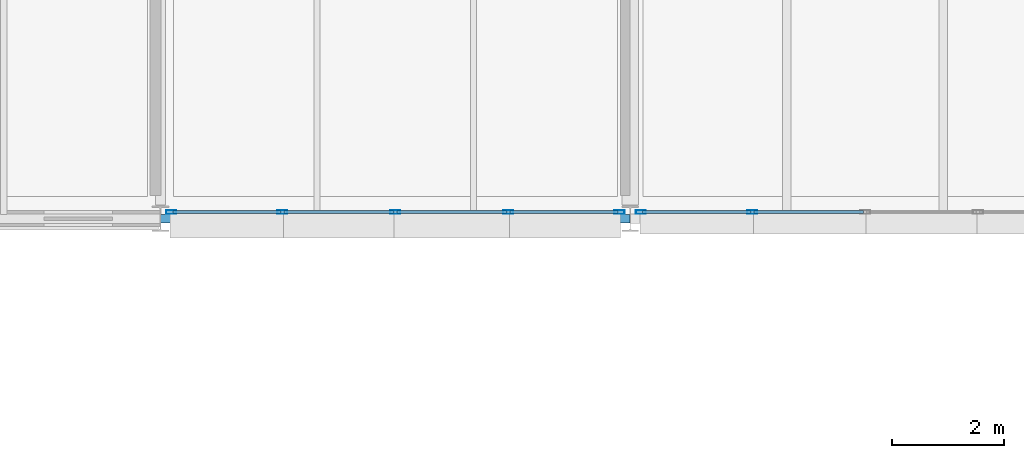
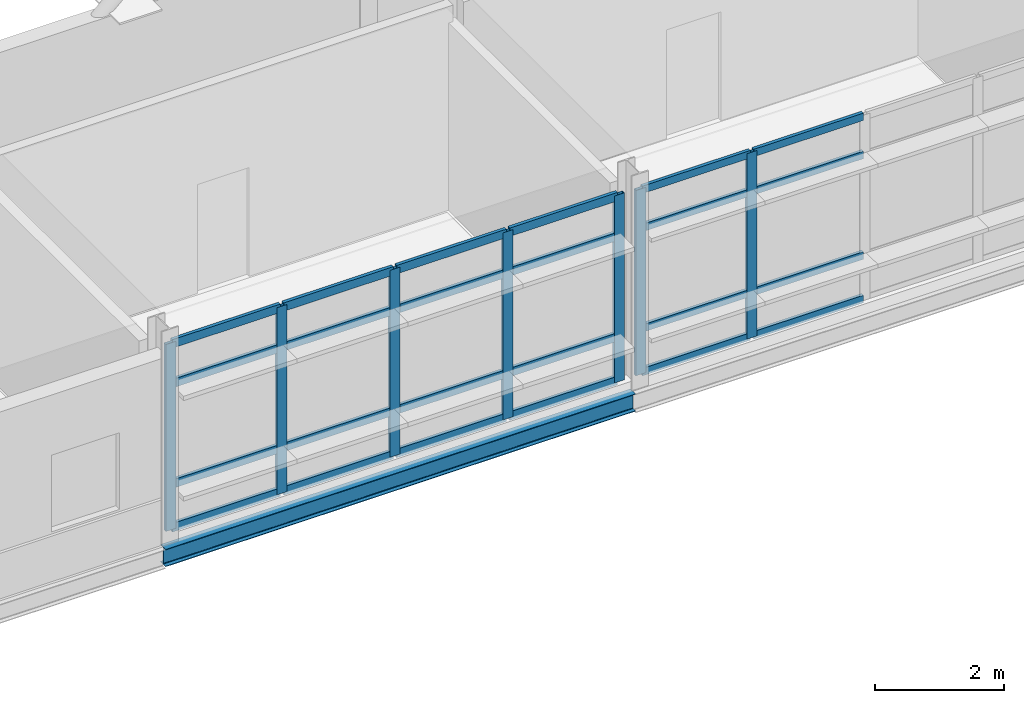
# One storey, part 64 of 131: 31 members, 1 beam, 2 elements without a shape of their own.
"""IFC4 building model written with IfcOpenShell, lengths in metres."""

from ifc_helpers import new_model, si_unit, direction, frame, origin, origin_2d, place, context, subcontext, project, spatial, hollow_rectangle, i_section, extrude, material, material_profile, profile_set, type_object, element, aggregate, save


model = new_model("IFC4")

# Units and contexts
model_context = context("Model", 3, precision=1e-05, world=origin(), true_north=direction((0.0, 1.0)))
body_context = subcontext(model_context, "Body", "Model", "MODEL_VIEW")
ifc_project = project(units=[si_unit("LENGTHUNIT", "METRE"), si_unit("AREAUNIT", "SQUARE_METRE"), si_unit("VOLUMEUNIT", "CUBIC_METRE"), si_unit("PLANEANGLEUNIT", "RADIAN"), si_unit("MASSUNIT", "GRAM", prefix="KILO")], contexts=[model_context])

# Site, building, storey
site_placement = place(None, origin())
site = spatial("IfcSite", under=ifc_project, at=site_placement, CompositionType="ELEMENT")
building_placement = place(site_placement, origin())
building = spatial("IfcBuilding", under=site, at=building_placement, Name="Mersafa Astral City Hall", CompositionType="ELEMENT")
storey_placement = place(building_placement, frame((0.0, 0.0, 13.949951171875)))
storey = spatial("IfcBuildingStorey", under=building, at=storey_placement, Name="L03", CompositionType="ELEMENT", Elevation=13.949951171875)

# Curtain wall, members
ifc_material_1 = material(Name="Anodised bronze aluminium framing", Category="aluminium")
curtain_wall_type_1 = type_object("IfcCurtainWallType", Name="ENV-CW-1", PredefinedType="USERDEFINED", material=ifc_material_1)
curtain_wall_1_placement = place(storey_placement, origin())
curtain_wall_1 = element("IfcCurtainWall", 1, at=curtain_wall_1_placement, inside=storey, type_object=curtain_wall_type_1, Name="L03 Unitised solar curtain wall 180", ObjectType="UNITISED CURTAIN WALL", PredefinedType="USERDEFINED")
ifc_material_profile_1 = material_profile(ifc_material_1, hollow_rectangle(XDim=0.06005859375, YDim=0.179931640625, WallThickness=0.00390625, at=origin_2d()), Name="RHS 60x180x4")
ifc_profile_set_1 = profile_set([ifc_material_profile_1], Name="Anodised bronze aluminium framing")
member_type_1 = type_object("IfcMemberType", Name="ENV-CW-MUL-1", PredefinedType="MULLION", material=ifc_profile_set_1)
member_1_placement = place(storey_placement, frame((75.7919921875, 117.719970703125, -0.001953125), z_axis=(0.0, 0.0, 1.0), x_axis=(0.0, 1.0, 0.0)))
member_1 = element("IfcMember", 2, at=member_1_placement, type_object=member_type_1, Name="CW-1 mullion 1", PredefinedType="MULLION", context=body_context, shape_type="SweptSolid", body=[
    extrude(hollow_rectangle(XDim=0.06005859375, YDim=0.179931640625, WallThickness=0.00390625, at=origin_2d()), origin(), (0.0, 0.0, 1.0), 3.533935546875),
])
member_2_placement = place(storey_placement, frame((77.781005859375, 117.719970703125, -0.001953125), z_axis=(0.0, 0.0, 1.0), x_axis=(0.0, 1.0, 0.0)))
member_2 = element("IfcMember", 3, at=member_2_placement, type_object=member_type_1, Name="CW-1 mullion 2", PredefinedType="MULLION", context=body_context, shape_type="SweptSolid", body=[
    extrude(hollow_rectangle(XDim=0.06005859375, YDim=0.179931640625, WallThickness=0.00390625, at=origin_2d()), origin(), (0.0, 0.0, 1.0), 3.533935546875),
])
member_3_placement = place(storey_placement, frame((79.800048828125, 117.719970703125, -0.001953125), z_axis=(0.0, 0.0, 1.0), x_axis=(0.0, 1.0, 0.0)))
member_3 = element("IfcMember", 4, at=member_3_placement, type_object=member_type_1, Name="CW-1 mullion 3", PredefinedType="MULLION", context=body_context, shape_type="SweptSolid", body=[
    extrude(hollow_rectangle(XDim=0.06005859375, YDim=0.179931640625, WallThickness=0.00390625, at=origin_2d()), origin(), (0.0, 0.0, 1.0), 3.533935546875),
])
member_4_placement = place(storey_placement, frame((81.819091796875, 117.719970703125, -0.001953125), z_axis=(0.0, 0.0, 1.0), x_axis=(0.0, 1.0, 0.0)))
member_4 = element("IfcMember", 5, at=member_4_placement, type_object=member_type_1, Name="CW-1 mullion 4", PredefinedType="MULLION", context=body_context, shape_type="SweptSolid", body=[
    extrude(hollow_rectangle(XDim=0.06005859375, YDim=0.179931640625, WallThickness=0.00390625, at=origin_2d()), origin(), (0.0, 0.0, 1.0), 3.533935546875),
])
member_5_placement = place(storey_placement, frame((83.80810546875, 117.719970703125, -0.001953125), z_axis=(0.0, 0.0, 1.0), x_axis=(0.0, 1.0, 0.0)))
member_5 = element("IfcMember", 6, at=member_5_placement, type_object=member_type_1, Name="CW-1 mullion 5", PredefinedType="MULLION", context=body_context, shape_type="SweptSolid", body=[
    extrude(hollow_rectangle(XDim=0.06005859375, YDim=0.179931640625, WallThickness=0.00390625, at=origin_2d()), origin(), (0.0, 0.0, 1.0), 3.533935546875),
])

curtain_wall_type_2 = type_object("IfcCurtainWallType", Name="ENV-CW-2", PredefinedType="USERDEFINED", material=ifc_material_1)
curtain_wall_2_placement = place(storey_placement, origin())
curtain_wall_2 = element("IfcCurtainWall", 7, at=curtain_wall_2_placement, inside=storey, type_object=curtain_wall_type_2, Name="L03 Unitised solar curtain wall 181", ObjectType="UNITISED CURTAIN WALL", PredefinedType="USERDEFINED")
member_6_placement = place(storey_placement, frame((84.19189453125, 117.719970703125, -0.001953125), z_axis=(0.0, 0.0, 1.0), x_axis=(0.0, 1.0, 0.0)))
member_6 = element("IfcMember", 8, at=member_6_placement, type_object=member_type_1, Name="CW-2 mullion 1", PredefinedType="MULLION", context=body_context, shape_type="SweptSolid", body=[
    extrude(hollow_rectangle(XDim=0.06005859375, YDim=0.179931640625, WallThickness=0.00390625, at=origin_2d()), origin(), (0.0, 0.0, 1.0), 3.50390625),
])
member_7_placement = place(storey_placement, frame((86.180908203125, 117.719970703125, -0.001953125), z_axis=(0.0, 0.0, 1.0), x_axis=(0.0, 1.0, 0.0)))
member_7 = element("IfcMember", 9, at=member_7_placement, type_object=member_type_1, Name="CW-2 mullion 2", PredefinedType="MULLION", context=body_context, shape_type="SweptSolid", body=[
    extrude(hollow_rectangle(XDim=0.06005859375, YDim=0.179931640625, WallThickness=0.00390625, at=origin_2d()), origin(), (0.0, 0.0, 1.0), 3.50390625),
])
ifc_material_profile_2 = material_profile(ifc_material_1, hollow_rectangle(XDim=0.06005859375, YDim=0.139892578125, WallThickness=0.00390625, at=origin_2d()), Name="RHS 60x140x4")
ifc_profile_set_2 = profile_set([ifc_material_profile_2], Name="Anodised bronze aluminium framing")
member_type_2 = type_object("IfcMemberType", Name="ENV-CW-TRN-1", PredefinedType="USERDEFINED", material=ifc_profile_set_2)
member_8_placement = place(storey_placement, frame((84.221923828125, 117.719970703125, 0.028076171875), z_axis=(1.0, 0.0, 0.0), x_axis=(0.0, 1.0, 0.0)))
member_8 = element("IfcMember", 10, at=member_8_placement, type_object=member_type_2, Name="CW-2 transom 1.1", ObjectType="TRANSOM", PredefinedType="USERDEFINED", context=body_context, shape_type="SweptSolid", body=[
    extrude(hollow_rectangle(XDim=0.06005859375, YDim=0.139892578125, WallThickness=0.00390625, at=origin_2d()), origin(), (0.0, 0.0, 1.0), 1.928955078125),
])
member_9_placement = place(storey_placement, frame((84.221923828125, 117.719970703125, 0.85009765625), z_axis=(1.0, 0.0, 0.0), x_axis=(0.0, 1.0, 0.0)))
member_9 = element("IfcMember", 11, at=member_9_placement, type_object=member_type_2, Name="CW-2 transom 1.2", ObjectType="TRANSOM", PredefinedType="USERDEFINED", context=body_context, shape_type="SweptSolid", body=[
    extrude(hollow_rectangle(XDim=0.06005859375, YDim=0.139892578125, WallThickness=0.00390625, at=origin_2d()), origin(), (0.0, 0.0, 1.0), 1.928955078125),
])
member_10_placement = place(storey_placement, frame((84.221923828125, 117.719970703125, 2.75), z_axis=(1.0, 0.0, 0.0), x_axis=(0.0, 1.0, 0.0)))
member_10 = element("IfcMember", 12, at=member_10_placement, type_object=member_type_2, Name="CW-2 transom 1.3", ObjectType="TRANSOM", PredefinedType="USERDEFINED", context=body_context, shape_type="SweptSolid", body=[
    extrude(hollow_rectangle(XDim=0.06005859375, YDim=0.139892578125, WallThickness=0.00390625, at=origin_2d()), origin(), (0.0, 0.0, 1.0), 1.928955078125),
])
member_11_placement = place(storey_placement, frame((84.221923828125, 117.719970703125, 3.47216796875), z_axis=(1.0, 0.0, 0.0), x_axis=(0.0, 1.0, 0.0)))
member_11 = element("IfcMember", 13, at=member_11_placement, type_object=member_type_2, Name="CW-2 transom 1.4", ObjectType="TRANSOM", PredefinedType="USERDEFINED", context=body_context, shape_type="SweptSolid", body=[
    extrude(hollow_rectangle(XDim=0.06005859375, YDim=0.139892578125, WallThickness=0.00390625, at=origin_2d()), origin(), (0.0, 0.0, 1.0), 1.928955078125),
])
member_12_placement = place(storey_placement, frame((86.2109375, 117.719970703125, 0.028076171875), z_axis=(1.0, 0.0, 0.0), x_axis=(0.0, 1.0, 0.0)))
member_12 = element("IfcMember", 14, at=member_12_placement, type_object=member_type_2, Name="CW-2 transom 2.1", ObjectType="TRANSOM", PredefinedType="USERDEFINED", context=body_context, shape_type="SweptSolid", body=[
    extrude(hollow_rectangle(XDim=0.06005859375, YDim=0.139892578125, WallThickness=0.00390625, at=origin_2d()), origin(), (0.0, 0.0, 1.0), 1.958984375),
])
member_13_placement = place(storey_placement, frame((86.2109375, 117.719970703125, 0.85009765625), z_axis=(1.0, 0.0, 0.0), x_axis=(0.0, 1.0, 0.0)))
member_13 = element("IfcMember", 15, at=member_13_placement, type_object=member_type_2, Name="CW-2 transom 2.2", ObjectType="TRANSOM", PredefinedType="USERDEFINED", context=body_context, shape_type="SweptSolid", body=[
    extrude(hollow_rectangle(XDim=0.06005859375, YDim=0.139892578125, WallThickness=0.00390625, at=origin_2d()), origin(), (0.0, 0.0, 1.0), 1.958984375),
])
member_14_placement = place(storey_placement, frame((86.2109375, 117.719970703125, 2.75), z_axis=(1.0, 0.0, 0.0), x_axis=(0.0, 1.0, 0.0)))
member_14 = element("IfcMember", 16, at=member_14_placement, type_object=member_type_2, Name="CW-2 transom 2.3", ObjectType="TRANSOM", PredefinedType="USERDEFINED", context=body_context, shape_type="SweptSolid", body=[
    extrude(hollow_rectangle(XDim=0.06005859375, YDim=0.139892578125, WallThickness=0.00390625, at=origin_2d()), origin(), (0.0, 0.0, 1.0), 1.958984375),
])
member_15_placement = place(storey_placement, frame((86.2109375, 117.719970703125, 3.47216796875), z_axis=(1.0, 0.0, 0.0), x_axis=(0.0, 1.0, 0.0)))
member_15 = element("IfcMember", 17, at=member_15_placement, type_object=member_type_2, Name="CW-2 transom 2.4", ObjectType="TRANSOM", PredefinedType="USERDEFINED", context=body_context, shape_type="SweptSolid", body=[
    extrude(hollow_rectangle(XDim=0.06005859375, YDim=0.139892578125, WallThickness=0.00390625, at=origin_2d()), origin(), (0.0, 0.0, 1.0), 1.958984375),
])
aggregate(curtain_wall_2, [member_6, member_7, member_8, member_9, member_10, member_11, member_12, member_13, member_14, member_15])

# Member
ifc_material_profile_3 = material_profile(ifc_material_1, hollow_rectangle(XDim=0.06005859375, YDim=0.159912109375, WallThickness=0.00390625, at=origin_2d()), Name="RHS 60x160x4")
ifc_profile_set_3 = profile_set([ifc_material_profile_3], Name="Anodised bronze aluminium framing")
member_type_3 = type_object("IfcMemberType", Name="ENV-CW-TRN-2", PredefinedType="USERDEFINED", material=ifc_profile_set_3)
member_16_placement = place(storey_placement, frame((75.822021484375, 117.719970703125, 0.028076171875), z_axis=(1.0, 0.0, 0.0), x_axis=(0.0, 1.0, 0.0)))
member_16 = element("IfcMember", 18, at=member_16_placement, type_object=member_type_3, Name="CW-1 transom 1.1", ObjectType="TRANSOM", PredefinedType="USERDEFINED", context=body_context, shape_type="SweptSolid", body=[
    extrude(hollow_rectangle(XDim=0.06005859375, YDim=0.159912109375, WallThickness=0.00390625, at=origin_2d()), origin(), (0.0, 0.0, 1.0), 1.928955078125),
])

member_17_placement = place(storey_placement, frame((75.822021484375, 117.719970703125, 0.85009765625), z_axis=(1.0, 0.0, 0.0), x_axis=(0.0, 1.0, 0.0)))
member_17 = element("IfcMember", 19, at=member_17_placement, type_object=member_type_3, Name="CW-1 transom 1.2", ObjectType="TRANSOM", PredefinedType="USERDEFINED", context=body_context, shape_type="SweptSolid", body=[
    extrude(hollow_rectangle(XDim=0.06005859375, YDim=0.159912109375, WallThickness=0.00390625, at=origin_2d()), origin(), (0.0, 0.0, 1.0), 1.928955078125),
])

member_18_placement = place(storey_placement, frame((75.822021484375, 117.719970703125, 2.75), z_axis=(1.0, 0.0, 0.0), x_axis=(0.0, 1.0, 0.0)))
member_18 = element("IfcMember", 20, at=member_18_placement, type_object=member_type_3, Name="CW-1 transom 1.3", ObjectType="TRANSOM", PredefinedType="USERDEFINED", context=body_context, shape_type="SweptSolid", body=[
    extrude(hollow_rectangle(XDim=0.06005859375, YDim=0.159912109375, WallThickness=0.00390625, at=origin_2d()), origin(), (0.0, 0.0, 1.0), 1.928955078125),
])

member_19_placement = place(storey_placement, frame((75.822021484375, 117.719970703125, 3.501953125), z_axis=(1.0, 0.0, 0.0), x_axis=(0.0, 1.0, 0.0)))
member_19 = element("IfcMember", 21, at=member_19_placement, type_object=member_type_3, Name="CW-1 transom 1.4", ObjectType="TRANSOM", PredefinedType="USERDEFINED", context=body_context, shape_type="SweptSolid", body=[
    extrude(hollow_rectangle(XDim=0.06005859375, YDim=0.159912109375, WallThickness=0.00390625, at=origin_2d()), origin(), (0.0, 0.0, 1.0), 1.928955078125),
])

member_20_placement = place(storey_placement, frame((77.81103515625, 117.719970703125, 0.028076171875), z_axis=(1.0, 0.0, 0.0), x_axis=(0.0, 1.0, 0.0)))
member_20 = element("IfcMember", 22, at=member_20_placement, type_object=member_type_3, Name="CW-1 transom 2.1", ObjectType="TRANSOM", PredefinedType="USERDEFINED", context=body_context, shape_type="SweptSolid", body=[
    extrude(hollow_rectangle(XDim=0.06005859375, YDim=0.159912109375, WallThickness=0.00390625, at=origin_2d()), origin(), (0.0, 0.0, 1.0), 1.958984375),
])

member_21_placement = place(storey_placement, frame((77.81103515625, 117.719970703125, 0.85009765625), z_axis=(1.0, 0.0, 0.0), x_axis=(0.0, 1.0, 0.0)))
member_21 = element("IfcMember", 23, at=member_21_placement, type_object=member_type_3, Name="CW-1 transom 2.2", ObjectType="TRANSOM", PredefinedType="USERDEFINED", context=body_context, shape_type="SweptSolid", body=[
    extrude(hollow_rectangle(XDim=0.06005859375, YDim=0.159912109375, WallThickness=0.00390625, at=origin_2d()), origin(), (0.0, 0.0, 1.0), 1.958984375),
])

member_22_placement = place(storey_placement, frame((77.81103515625, 117.719970703125, 2.75), z_axis=(1.0, 0.0, 0.0), x_axis=(0.0, 1.0, 0.0)))
member_22 = element("IfcMember", 24, at=member_22_placement, type_object=member_type_3, Name="CW-1 transom 2.3", ObjectType="TRANSOM", PredefinedType="USERDEFINED", context=body_context, shape_type="SweptSolid", body=[
    extrude(hollow_rectangle(XDim=0.06005859375, YDim=0.159912109375, WallThickness=0.00390625, at=origin_2d()), origin(), (0.0, 0.0, 1.0), 1.958984375),
])

member_23_placement = place(storey_placement, frame((77.81103515625, 117.719970703125, 3.501953125), z_axis=(1.0, 0.0, 0.0), x_axis=(0.0, 1.0, 0.0)))
member_23 = element("IfcMember", 25, at=member_23_placement, type_object=member_type_3, Name="CW-1 transom 2.4", ObjectType="TRANSOM", PredefinedType="USERDEFINED", context=body_context, shape_type="SweptSolid", body=[
    extrude(hollow_rectangle(XDim=0.06005859375, YDim=0.159912109375, WallThickness=0.00390625, at=origin_2d()), origin(), (0.0, 0.0, 1.0), 1.958984375),
])

member_24_placement = place(storey_placement, frame((79.830078125, 117.719970703125, 0.028076171875), z_axis=(1.0, 0.0, 0.0), x_axis=(0.0, 1.0, 0.0)))
member_24 = element("IfcMember", 26, at=member_24_placement, type_object=member_type_3, Name="CW-1 transom 3.1", ObjectType="TRANSOM", PredefinedType="USERDEFINED", context=body_context, shape_type="SweptSolid", body=[
    extrude(hollow_rectangle(XDim=0.06005859375, YDim=0.159912109375, WallThickness=0.00390625, at=origin_2d()), origin(), (0.0, 0.0, 1.0), 1.958984375),
])

member_25_placement = place(storey_placement, frame((79.830078125, 117.719970703125, 0.85009765625), z_axis=(1.0, 0.0, 0.0), x_axis=(0.0, 1.0, 0.0)))
member_25 = element("IfcMember", 27, at=member_25_placement, type_object=member_type_3, Name="CW-1 transom 3.2", ObjectType="TRANSOM", PredefinedType="USERDEFINED", context=body_context, shape_type="SweptSolid", body=[
    extrude(hollow_rectangle(XDim=0.06005859375, YDim=0.159912109375, WallThickness=0.00390625, at=origin_2d()), origin(), (0.0, 0.0, 1.0), 1.958984375),
])

member_26_placement = place(storey_placement, frame((79.830078125, 117.719970703125, 2.75), z_axis=(1.0, 0.0, 0.0), x_axis=(0.0, 1.0, 0.0)))
member_26 = element("IfcMember", 28, at=member_26_placement, type_object=member_type_3, Name="CW-1 transom 3.3", ObjectType="TRANSOM", PredefinedType="USERDEFINED", context=body_context, shape_type="SweptSolid", body=[
    extrude(hollow_rectangle(XDim=0.06005859375, YDim=0.159912109375, WallThickness=0.00390625, at=origin_2d()), origin(), (0.0, 0.0, 1.0), 1.958984375),
])

member_27_placement = place(storey_placement, frame((79.830078125, 117.719970703125, 3.501953125), z_axis=(1.0, 0.0, 0.0), x_axis=(0.0, 1.0, 0.0)))
member_27 = element("IfcMember", 29, at=member_27_placement, type_object=member_type_3, Name="CW-1 transom 3.4", ObjectType="TRANSOM", PredefinedType="USERDEFINED", context=body_context, shape_type="SweptSolid", body=[
    extrude(hollow_rectangle(XDim=0.06005859375, YDim=0.159912109375, WallThickness=0.00390625, at=origin_2d()), origin(), (0.0, 0.0, 1.0), 1.958984375),
])

member_28_placement = place(storey_placement, frame((81.84912109375, 117.719970703125, 0.028076171875), z_axis=(1.0, 0.0, 0.0), x_axis=(0.0, 1.0, 0.0)))
member_28 = element("IfcMember", 30, at=member_28_placement, type_object=member_type_3, Name="CW-1 transom 4.1", ObjectType="TRANSOM", PredefinedType="USERDEFINED", context=body_context, shape_type="SweptSolid", body=[
    extrude(hollow_rectangle(XDim=0.06005859375, YDim=0.159912109375, WallThickness=0.00390625, at=origin_2d()), origin(), (0.0, 0.0, 1.0), 1.928955078125),
])

member_29_placement = place(storey_placement, frame((81.84912109375, 117.719970703125, 0.85009765625), z_axis=(1.0, 0.0, 0.0), x_axis=(0.0, 1.0, 0.0)))
member_29 = element("IfcMember", 31, at=member_29_placement, type_object=member_type_3, Name="CW-1 transom 4.2", ObjectType="TRANSOM", PredefinedType="USERDEFINED", context=body_context, shape_type="SweptSolid", body=[
    extrude(hollow_rectangle(XDim=0.06005859375, YDim=0.159912109375, WallThickness=0.00390625, at=origin_2d()), origin(), (0.0, 0.0, 1.0), 1.928955078125),
])

member_30_placement = place(storey_placement, frame((81.84912109375, 117.719970703125, 2.75), z_axis=(1.0, 0.0, 0.0), x_axis=(0.0, 1.0, 0.0)))
member_30 = element("IfcMember", 32, at=member_30_placement, type_object=member_type_3, Name="CW-1 transom 4.3", ObjectType="TRANSOM", PredefinedType="USERDEFINED", context=body_context, shape_type="SweptSolid", body=[
    extrude(hollow_rectangle(XDim=0.06005859375, YDim=0.159912109375, WallThickness=0.00390625, at=origin_2d()), origin(), (0.0, 0.0, 1.0), 1.928955078125),
])

member_31_placement = place(storey_placement, frame((81.84912109375, 117.719970703125, 3.501953125), z_axis=(1.0, 0.0, 0.0), x_axis=(0.0, 1.0, 0.0)))
member_31 = element("IfcMember", 33, at=member_31_placement, type_object=member_type_3, Name="CW-1 transom 4.4", ObjectType="TRANSOM", PredefinedType="USERDEFINED", context=body_context, shape_type="SweptSolid", body=[
    extrude(hollow_rectangle(XDim=0.06005859375, YDim=0.159912109375, WallThickness=0.00390625, at=origin_2d()), origin(), (0.0, 0.0, 1.0), 1.928955078125),
])

aggregate(curtain_wall_1, [member_1, member_2, member_3, member_4, member_5, member_16, member_17, member_18, member_19, member_20, member_21, member_22, member_23, member_24, member_25, member_26, member_27, member_28, member_29, member_30, member_31])

# Beam
ifc_material_2 = material(Name="Steel S355", Category="steel")
ifc_material_profile_4 = material_profile(ifc_material_2, i_section(OverallWidth=0.159912109375, OverallDepth=0.330078125, WebThickness=0.007568359375, FlangeThickness=0.011474609375, FilletRadius=0.01806640625, at=origin_2d()), Name="IPE 330")
ifc_profile_set_4 = profile_set([ifc_material_profile_4], Name="Steel S355")
beam_type = type_object("IfcBeamType", Name="STR-BM-SPANDREL-IPE330", PredefinedType="SPANDREL", material=ifc_profile_set_4)
beam_placement = place(storey_placement, frame((75.60302734375, 117.60009765625, -0.364990234375), z_axis=(1.0, 0.0, 0.0), x_axis=(0.0, 1.0, 0.0)))
element("IfcBeam", 34, at=beam_placement, inside=storey, type_object=beam_type, Name="L03 Primary girder X 9-14", PredefinedType="SPANDREL", context=body_context, shape_type="SweptSolid", body=[
    extrude(i_section(OverallWidth=0.159912109375, OverallDepth=0.330078125, WebThickness=0.007568359375, FlangeThickness=0.011474609375, FilletRadius=0.01806640625, at=origin_2d()), origin(), (0.0, 0.0, 1.0), 8.39404296875),
])

save(model, "model.ifc")
